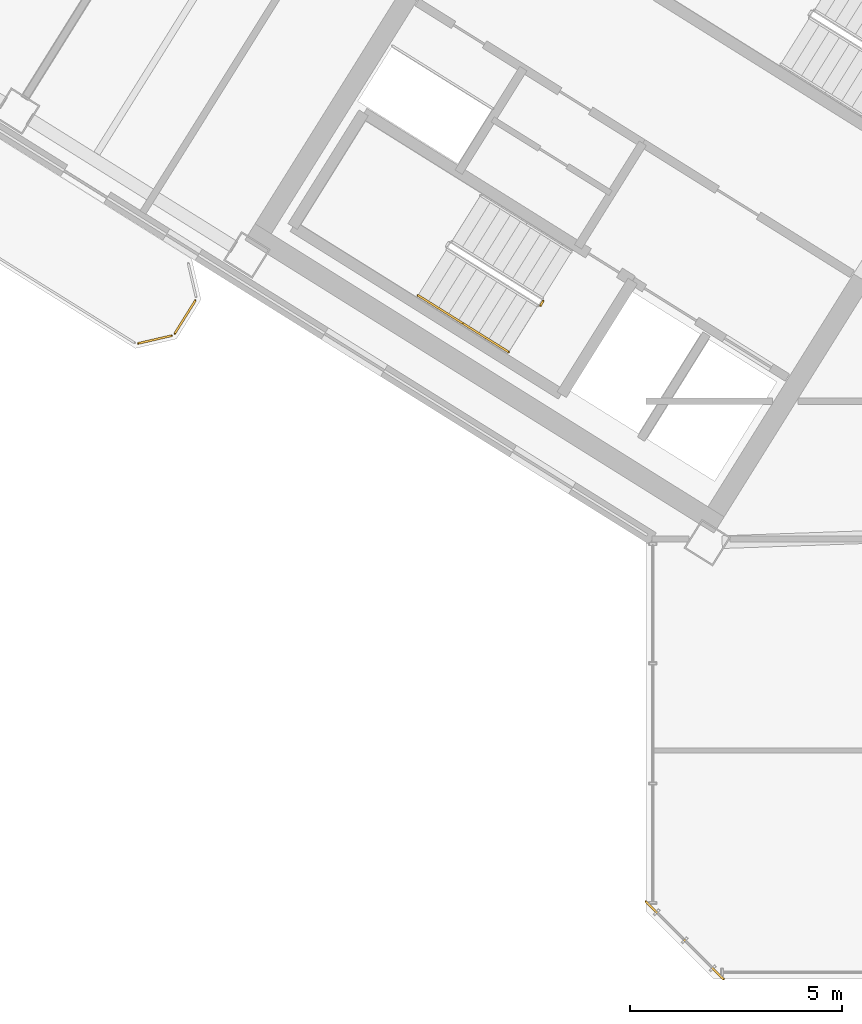
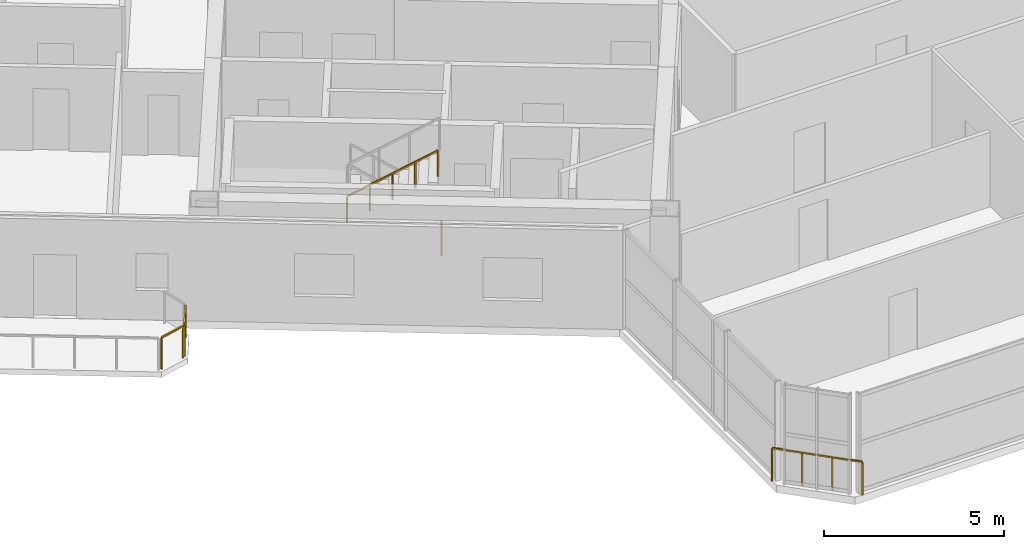
# One storey, part 17 of 21: 6 railings.
"""IFC4 building model written with IfcOpenShell, lengths in metres."""

from ifc_helpers import new_model, si_unit, direction, frame, origin, origin_2d, place, context, subcontext, project, spatial, rectangle, extrude, source, transform, mapped, material, type_object, element, save


model = new_model("IFC4")

# Units and contexts
model_context = context("Model", 3, precision=1e-05, world=origin(), true_north=direction((0.0, 1.0)))
body_context = subcontext(model_context, "Body", "Model", "MODEL_VIEW")
ifc_project = project(units=[si_unit("LENGTHUNIT", "METRE"), si_unit("AREAUNIT", "SQUARE_METRE"), si_unit("VOLUMEUNIT", "CUBIC_METRE"), si_unit("PLANEANGLEUNIT", "RADIAN"), si_unit("MASSUNIT", "GRAM", prefix="KILO")], contexts=[model_context])

# Site, building, storey
site_placement = place(None, origin())
site = spatial("IfcSite", under=ifc_project, at=site_placement, CompositionType="ELEMENT")
building_placement = place(site_placement, origin())
building = spatial("IfcBuilding", under=site, at=building_placement, Name="Tlacorven Tower", CompositionType="ELEMENT")
storey_placement = place(building_placement, frame((0.0, 0.0, 207.60009765625)))
storey = spatial("IfcBuildingStorey", under=building, at=storey_placement, Name="L52", CompositionType="ELEMENT", Elevation=207.60009765625)

# Railings
ifc_material = material(Name="Aluminium and painted steel balustrade", Category="steel")
railing_type_1 = type_object("IfcRailingType", Name="RL-BAL-1100", PredefinedType="BALUSTRADE", material=ifc_material)
shared_shape_1 = source(origin(), body_context, "Body", "SweptSolid", [
    extrude(rectangle(XDim=0.048095703125, YDim=0.048095703125, at=origin_2d()), frame((0.0, 0.0, 1.076171875), z_axis=(-0.52987865805, -0.848073468364, 0.0), x_axis=(0.848073468364, -0.52987865805, 0.0)), (0.0, 0.0, 1.0), 0.912353515625),
    extrude(rectangle(XDim=0.0419921875, YDim=0.0419921875, at=origin_2d()), origin(), (0.0, 0.0, 1.0), 1.052001953125),
    extrude(rectangle(XDim=0.0419921875, YDim=0.0419921875, at=origin_2d()), frame((-0.4833984375, -0.773681640625, 0.0)), (0.0, 0.0, 1.0), 1.052001953125),
])
railing_1_placement = place(storey_placement, frame((20.976318359375, 17.793701171875, 0.0)))
element("IfcRailing", 1, at=railing_1_placement, inside=storey, type_object=railing_type_1, Name="BAL-L52-W-OUT Guard Railing 2", PredefinedType="BALUSTRADE", context=body_context, shape_type="MappedRepresentation", body=[
    mapped(shared_shape_1, transform((0.0, 0.0, 0.0), scale=1.0)),
])
shared_shape_2 = source(origin(), body_context, "Body", "SweptSolid", [
    extrude(rectangle(XDim=0.048095703125, YDim=0.048095703125, at=origin_2d()), frame((0.0, 0.0, 1.076171875), z_axis=(-0.974345290916, -0.225058334816, 0.0), x_axis=(0.225058334816, -0.974345290916, 0.0)), (0.0, 0.0, 1.0), 0.80712890625),
    extrude(rectangle(XDim=0.0419921875, YDim=0.0419921875, at=origin_2d()), origin(), (0.0, 0.0, 1.0), 1.052001953125),
    extrude(rectangle(XDim=0.0419921875, YDim=0.0419921875, at=origin_2d()), frame((-0.786376953125, -0.181640625, 0.0)), (0.0, 0.0, 1.0), 1.052001953125),
])
railing_2_placement = place(storey_placement, frame((20.417724609375, 16.966552734375, 0.0)))
element("IfcRailing", 2, at=railing_2_placement, inside=storey, type_object=railing_type_1, Name="BAL-L52-W-OUT Guard Railing 3", PredefinedType="BALUSTRADE", context=body_context, shape_type="MappedRepresentation", body=[
    mapped(shared_shape_2, transform((0.0, 0.0, 0.0), scale=1.0)),
])
railing_type_2 = type_object("IfcRailingType", Name="RL-GRD-1150", PredefinedType="GUARDRAIL", material=ifc_material)
shared_shape_3 = source(origin(), body_context, "Body", "SweptSolid", [
    extrude(rectangle(XDim=0.048095703125, YDim=0.048095703125, at=origin_2d()), frame((0.0, 0.0, 1.1259765625), z_axis=(-0.707106781187, 0.707106781187, 0.0), x_axis=(-0.707106781187, -0.707106781187, 0.0)), (0.0, 0.0, 1.0), 2.590087890625),
    extrude(rectangle(XDim=0.0419921875, YDim=0.0419921875, at=origin_2d()), origin(), (0.0, 0.0, 1.0), 1.101806640625),
    extrude(rectangle(XDim=0.0419921875, YDim=0.0419921875, at=origin_2d()), frame((-0.610595703125, 0.610595703125, 0.0)), (0.0, 0.0, 1.0), 1.101806640625),
    extrude(rectangle(XDim=0.0419921875, YDim=0.0419921875, at=origin_2d()), frame((-1.220947265625, 1.220947265625, 0.0)), (0.0, 0.0, 1.0), 1.101806640625),
    extrude(rectangle(XDim=0.0419921875, YDim=0.0419921875, at=origin_2d()), frame((-1.83154296875, 1.83154296875, 0.0)), (0.0, 0.0, 1.0), 1.101806640625),
])
railing_3_placement = place(storey_placement, frame((33.428955078125, 1.79736328125, 0.0)))
element("IfcRailing", 3, at=railing_3_placement, inside=storey, type_object=railing_type_2, Name="L52 Knuckle Glazed Sill Guard 1", PredefinedType="GUARDRAIL", context=body_context, shape_type="MappedRepresentation", body=[
    mapped(shared_shape_3, transform((0.0, 0.0, 0.0), scale=1.0)),
])
railing_type_3 = type_object("IfcRailingType", Name="RL-GRD-1100", PredefinedType="GUARDRAIL", material=ifc_material)
shared_shape_4 = source(origin(), body_context, "Body", "SweptSolid", [
    extrude(rectangle(XDim=0.048095703125, YDim=0.048095703125, at=origin_2d()), frame((0.0, 0.0, 1.076171875), z_axis=(-0.529084052582, -0.848569422795, 0.0), x_axis=(0.848569422795, -0.529084052582, 0.0)), (0.0, 0.0, 1.0), 0.119873046875),
    extrude(rectangle(XDim=0.0419921875, YDim=0.0419921875, at=origin_2d()), origin(), (0.0, 0.0, 1.0), 1.052001953125),
    extrude(rectangle(XDim=0.0419921875, YDim=0.0419921875, at=origin_2d()), frame((-0.0634765625, -0.101806640625, 0.0)), (0.0, 0.0, 1.0), 1.052001953125),
])
railing_4_placement = place(storey_placement, frame((29.176513671875, 17.782958984375, 0.0)))
element("IfcRailing", 4, at=railing_4_placement, inside=storey, type_object=railing_type_3, Name="L52 ST-W1 stair guard 4", PredefinedType="GUARDRAIL", context=body_context, shape_type="MappedRepresentation", body=[
    mapped(shared_shape_4, transform((0.0, 0.0, 0.0), scale=1.0)),
])
railing_type_4 = type_object("IfcRailingType", Name="RL-HND-0900", PredefinedType="HANDRAIL", material=ifc_material)
shared_shape_5 = source(origin(), body_context, "Body", "SweptSolid", [
    extrude(rectangle(XDim=0.048095703125, YDim=0.048095703125, at=origin_2d()), frame((0.0, 0.0, 0.8759765625), z_axis=(0.713279695859, -0.445799809912, 0.540827703579), x_axis=(0.529998940003, 0.847998304005, 0.0)), (0.0, 0.0, 1.0), 1.497802734375),
    extrude(rectangle(XDim=0.0419921875, YDim=0.0419921875, at=origin_2d()), origin(), (0.0, 0.0, 1.0), 0.851806640625),
    extrude(rectangle(XDim=0.0419921875, YDim=0.0419921875, at=origin_2d()), frame((0.5341796875, -0.333984375, 0.405029296875)), (0.0, 0.0, 1.0), 0.851806640625),
    extrude(rectangle(XDim=0.0419921875, YDim=0.0419921875, at=origin_2d()), frame((1.068359375, -0.667724609375, 0.81005859375)), (0.0, 0.0, 1.0), 0.851806640625),
])
railing_5_placement = place(storey_placement, frame((27.29736328125, 17.24755859375, 2.789794921875)))
element("IfcRailing", 5, at=railing_5_placement, inside=storey, type_object=railing_type_4, Name="L52 ST-W1 stair handrail 4", PredefinedType="HANDRAIL", context=body_context, shape_type="MappedRepresentation", body=[
    mapped(shared_shape_5, transform((0.0, 0.0, 0.0), scale=1.0)),
])
shared_shape_6 = source(origin(), body_context, "Body", "SweptSolid", [
    extrude(rectangle(XDim=0.048095703125, YDim=0.048095703125, at=origin_2d()), frame((0.0, 0.0, 0.8759765625), z_axis=(0.713422621445, -0.445787267455, 0.540649494022), x_axis=(0.529911857636, 0.848052724267, 0.0)), (0.0, 0.0, 1.0), 1.497802734375),
    extrude(rectangle(XDim=0.0419921875, YDim=0.0419921875, at=origin_2d()), origin(), (0.0, 0.0, 1.0), 0.851806640625),
    extrude(rectangle(XDim=0.0419921875, YDim=0.0419921875, at=origin_2d()), frame((0.5341796875, -0.333984375, 0.40478515625)), (0.0, 0.0, 1.0), 0.851806640625),
    extrude(rectangle(XDim=0.0419921875, YDim=0.0419921875, at=origin_2d()), frame((1.068603515625, -0.667724609375, 0.809814453125)), (0.0, 0.0, 1.0), 0.851806640625),
])
railing_6_placement = place(storey_placement, frame((26.228759765625, 17.915283203125, 1.97998046875)))
element("IfcRailing", 6, at=railing_6_placement, inside=storey, type_object=railing_type_4, Name="L52 ST-W1 stair handrail 3", PredefinedType="HANDRAIL", context=body_context, shape_type="MappedRepresentation", body=[
    mapped(shared_shape_6, transform((0.0, 0.0, 0.0), scale=1.0)),
])

save(model, "model.ifc")
